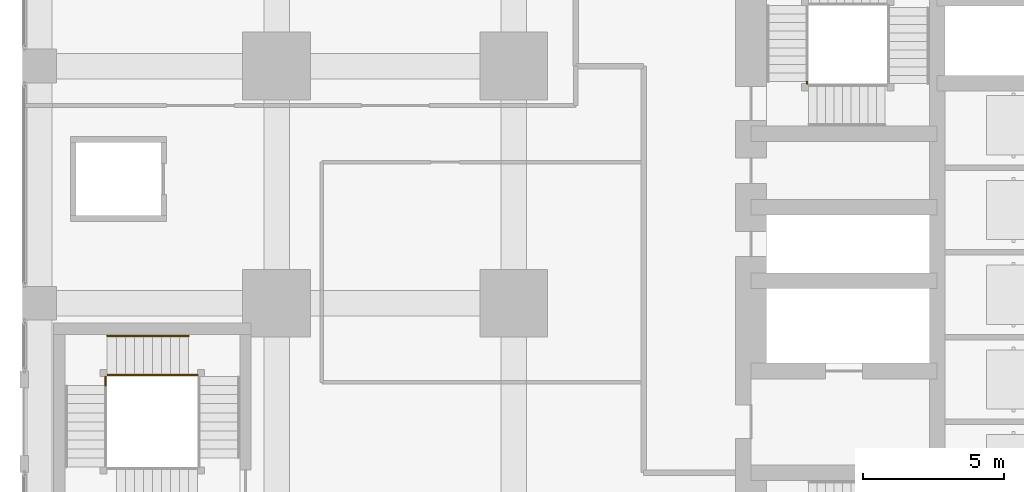
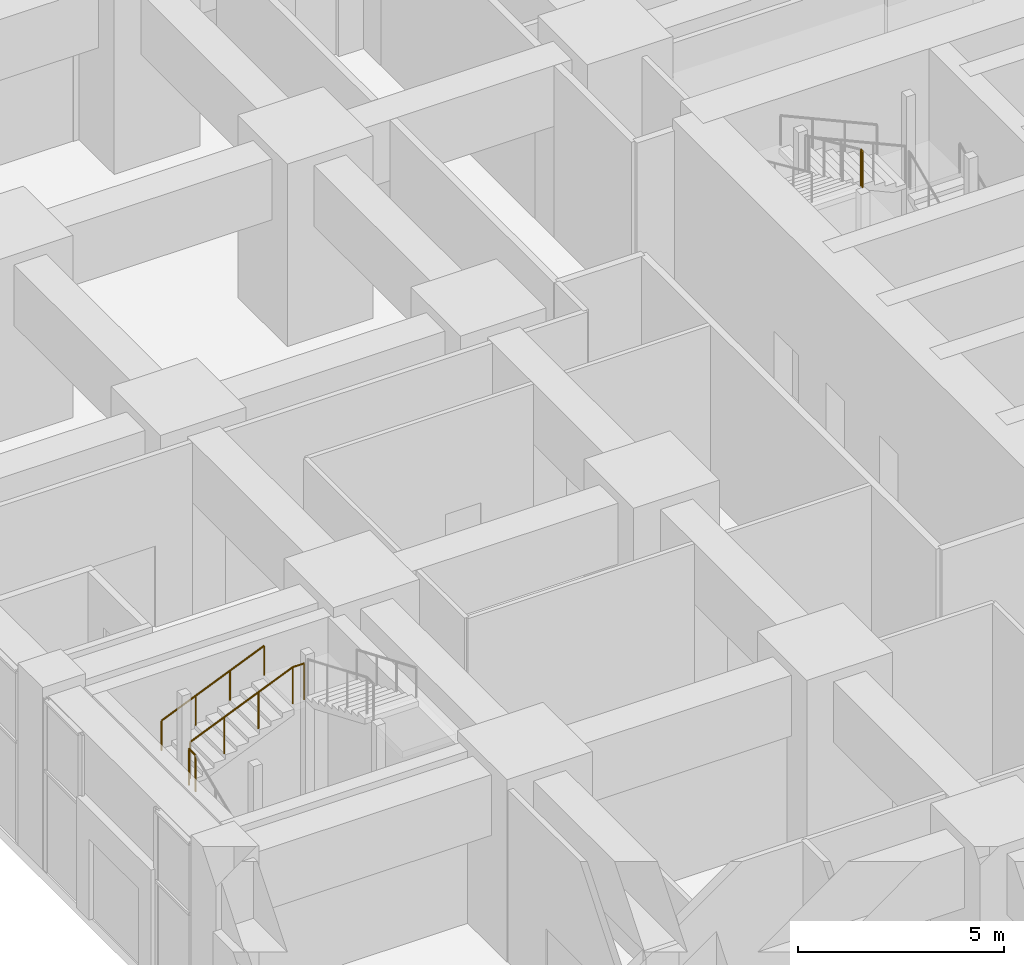
# One storey, part 50 of 81: 5 railings.
"""IFC4 building model written with IfcOpenShell, lengths in metres."""

from ifc_helpers import new_model, si_unit, direction, frame, origin, origin_2d, place, context, subcontext, project, spatial, circle, extrude, material, type_object, element, save


model = new_model("IFC4")

# Units and contexts
model_context = context("Model", 3, precision=1e-05, world=origin(), true_north=direction((0.0, 1.0)))
body_context = subcontext(model_context, "Body", "Model", "MODEL_VIEW")
ifc_project = project(units=[si_unit("LENGTHUNIT", "METRE"), si_unit("AREAUNIT", "SQUARE_METRE"), si_unit("VOLUMEUNIT", "CUBIC_METRE"), si_unit("PLANEANGLEUNIT", "RADIAN"), si_unit("MASSUNIT", "GRAM", prefix="KILO")], contexts=[model_context])

# Site, building, storey
site_placement = place(None, origin())
site = spatial("IfcSite", under=ifc_project, at=site_placement, CompositionType="ELEMENT")
building_placement = place(site_placement, origin())
building = spatial("IfcBuilding", under=site, at=building_placement, Name="Rekha Terrace Tower", CompositionType="ELEMENT")
storey_placement = place(building_placement, origin())
storey = spatial("IfcBuildingStorey", under=building, at=storey_placement, Name="L00", CompositionType="ELEMENT", Elevation=0.0)

# Railings
ifc_material_1 = material(Name="Stainless steel balustrade", Category="steel")
railing_type_1 = type_object("IfcRailingType", Name="GR1 1100 stair guard", PredefinedType="GUARDRAIL", material=ifc_material_1)
railing_1_placement = place(storey_placement, frame((2.39990234375, 31.06005859375, 2.8349609375)))
element("IfcRailing", 1, at=railing_1_placement, inside=storey, type_object=railing_type_1, Name="Guard SP1 L00 flight 3", PredefinedType="GUARDRAIL", context=body_context, shape_type="SweptSolid", body=[
    extrude(circle(Radius=0.02392578125, at=origin_2d()), frame((0.0, 0.0, 1.076171875), z_axis=(0.921360227523, 0.0, 0.388709828972), x_axis=(0.0, 1.0, 0.0)), (0.0, 0.0, 1.0), 3.1259765625),
    extrude(circle(Radius=0.02099609375, at=origin_2d()), origin(), (0.0, 0.0, 1.0), 1.052001953125),
    extrude(circle(Radius=0.02099609375, at=origin_2d()), frame((0.9599609375, 0.0, 0.405029296875)), (0.0, 0.0, 1.0), 1.052001953125),
    extrude(circle(Radius=0.02099609375, at=origin_2d()), frame((1.920166015625, 0.0, 0.81005859375)), (0.0, 0.0, 1.0), 1.052001953125),
    extrude(circle(Radius=0.02099609375, at=origin_2d()), frame((2.880126953125, 0.0, 1.215087890625)), (0.0, 0.0, 1.0), 1.052001953125),
])
railing_2_placement = place(storey_placement, frame((2.340087890625, 30.679931640625, 2.699951171875)))
element("IfcRailing", 2, at=railing_2_placement, inside=storey, type_object=railing_type_1, Name="Guard SP1 L00 landing 2", PredefinedType="GUARDRAIL", context=body_context, shape_type="SweptSolid", body=[
    extrude(circle(Radius=0.02392578125, at=origin_2d()), frame((0.0, 0.0, 1.076171875), z_axis=(0.0, 1.0, 0.0), x_axis=(-1.0, 0.0, 0.0)), (0.0, 0.0, 1.0), 0.320068359375),
    extrude(circle(Radius=0.02099609375, at=origin_2d()), origin(), (0.0, 0.0, 1.0), 1.052001953125),
    extrude(circle(Radius=0.02099609375, at=origin_2d()), frame((0.0, 0.320068359375, 0.0)), (0.0, 0.0, 1.0), 1.052001953125),
])
railing_3_placement = place(storey_placement, frame((5.60009765625, 31.06005859375, 4.050048828125)))
element("IfcRailing", 3, at=railing_3_placement, inside=storey, type_object=railing_type_1, Name="Guard SP1 L00 landing 3", PredefinedType="GUARDRAIL", context=body_context, shape_type="SweptSolid", body=[
    extrude(circle(Radius=0.02392578125, at=origin_2d()), frame((0.0, 0.0, 1.076171875), z_axis=(-1.0, 0.0, 0.0), x_axis=(0.0, -1.0, 0.0)), (0.0, 0.0, 1.0), 0.320068359375),
    extrude(circle(Radius=0.02099609375, at=origin_2d()), origin(), (0.0, 0.0, 1.0), 1.052001953125),
    extrude(circle(Radius=0.02099609375, at=origin_2d()), frame((-0.320068359375, 0.0, 0.0)), (0.0, 0.0, 1.0), 1.052001953125),
])
railing_4_placement = place(storey_placement, frame((27.18994140625, 41.375, 5.39990234375)))
element("IfcRailing", 4, at=railing_4_placement, inside=storey, type_object=railing_type_1, Name="Guard ST4 L00 landing 4", PredefinedType="GUARDRAIL", context=body_context, shape_type="SweptSolid", body=[
    extrude(circle(Radius=0.02392578125, at=origin_2d()), frame((0.0, 0.0, 1.076171875), z_axis=(0.0, 1.0, 0.0), x_axis=(-1.0, 0.0, 0.0)), (0.0, 0.0, 1.0), 0.074951171875),
    extrude(circle(Radius=0.02099609375, at=origin_2d()), origin(), (0.0, 0.0, 1.0), 1.052001953125),
    extrude(circle(Radius=0.02099609375, at=origin_2d()), frame((0.0, 0.074951171875, 0.0)), (0.0, 0.0, 1.0), 1.052001953125),
])
ifc_material_2 = material(Name="Stainless steel tube", Category="steel")
railing_type_2 = type_object("IfcRailingType", Name="HR1 900 stair handrail", PredefinedType="HANDRAIL", material=ifc_material_2)
railing_5_placement = place(storey_placement, frame((2.39990234375, 32.43994140625, 2.8349609375)))
element("IfcRailing", 5, at=railing_5_placement, inside=storey, type_object=railing_type_2, Name="Handrail SP1 L00 flight 3", PredefinedType="HANDRAIL", context=body_context, shape_type="SweptSolid", body=[
    extrude(circle(Radius=0.02392578125, at=origin_2d()), frame((0.0, 0.0, 0.8759765625), z_axis=(0.921360227523, 0.0, 0.388709828972), x_axis=(0.0, 1.0, 0.0)), (0.0, 0.0, 1.0), 3.1259765625),
    extrude(circle(Radius=0.02099609375, at=origin_2d()), origin(), (0.0, 0.0, 1.0), 0.851806640625),
    extrude(circle(Radius=0.02099609375, at=origin_2d()), frame((0.9599609375, 0.0, 0.405029296875)), (0.0, 0.0, 1.0), 0.851806640625),
    extrude(circle(Radius=0.02099609375, at=origin_2d()), frame((1.920166015625, 0.0, 0.81005859375)), (0.0, 0.0, 1.0), 0.851806640625),
    extrude(circle(Radius=0.02099609375, at=origin_2d()), frame((2.880126953125, 0.0, 1.215087890625)), (0.0, 0.0, 1.0), 0.851806640625),
])

save(model, "model.ifc")
